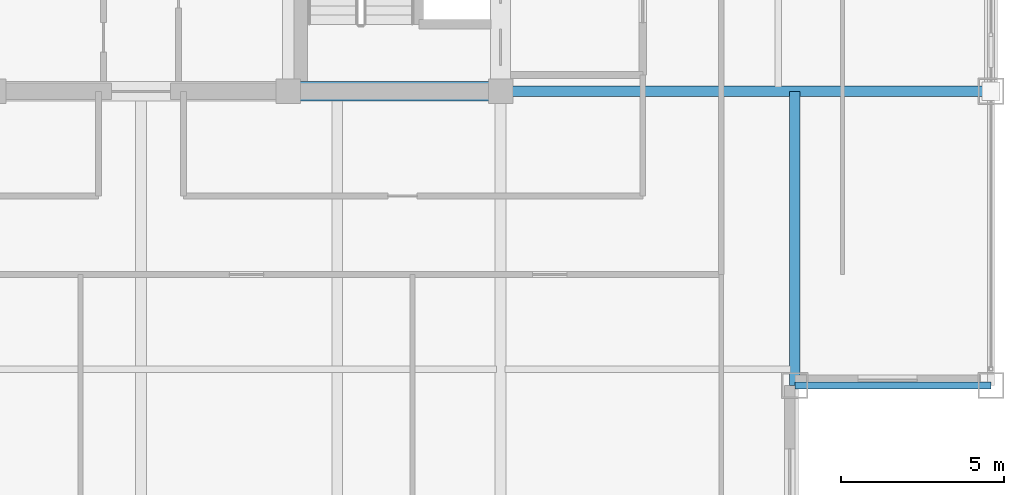
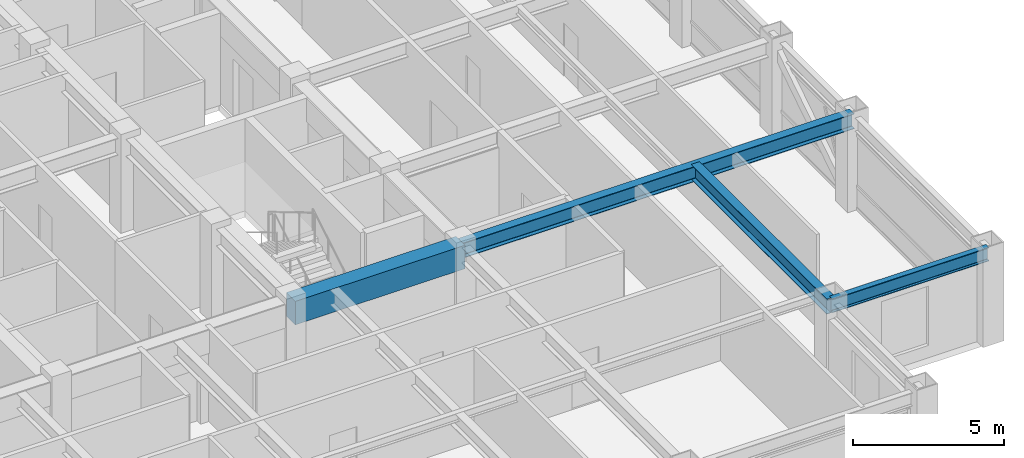
# One storey, part 9 of 28: 4 beams.
"""IFC4 building model written with IfcOpenShell, lengths in metres."""

from ifc_helpers import new_model, si_unit, direction, frame, origin, origin_2d, place, context, subcontext, project, spatial, rectangle, i_section, extrude, source, transform, mapped, material, material_profile, profile_set, type_object, element, save


model = new_model("IFC4")

# Units and contexts
model_context = context("Model", 3, precision=1e-05, world=origin(), true_north=direction((0.0, 1.0)))
body_context = subcontext(model_context, "Body", "Model", "MODEL_VIEW")
ifc_project = project(units=[si_unit("LENGTHUNIT", "METRE"), si_unit("AREAUNIT", "SQUARE_METRE"), si_unit("VOLUMEUNIT", "CUBIC_METRE"), si_unit("PLANEANGLEUNIT", "RADIAN"), si_unit("MASSUNIT", "GRAM", prefix="KILO")], contexts=[model_context])

# Site, building, storey
site_placement = place(None, origin())
site = spatial("IfcSite", under=ifc_project, at=site_placement, CompositionType="ELEMENT")
building_placement = place(site_placement, origin())
building = spatial("IfcBuilding", under=site, at=building_placement, Name="Khorayat Bourse Tower", CompositionType="ELEMENT")
storey_placement = place(building_placement, frame((0.0, 0.0, 330.300048828125)))
storey = spatial("IfcBuildingStorey", under=building, at=storey_placement, Name="L78", CompositionType="ELEMENT", Elevation=330.300048828125)

# Beams
ifc_material_1 = material(Name="Concrete C60/75", Category="concrete")
ifc_material_profile_1 = material_profile(ifc_material_1, rectangle(XDim=0.60009765625, YDim=0.949951171875, at=origin_2d()), Name="RC 600x950")
ifc_profile_set_1 = profile_set([ifc_material_profile_1], Name="Concrete C60/75")
beam_type_1 = type_object("IfcBeamType", Name="BM-COUP-950", PredefinedType="BEAM", material=ifc_profile_set_1)
shared_shape_1 = source(origin(), body_context, "Body", "SweptSolid", [
    extrude(rectangle(XDim=0.60009765625, YDim=0.949951171875, at=origin_2d()), origin(), (0.0, 0.0, 1.0), 6.5),
])
beam_1_placement = place(storey_placement, frame((4.5, -11.0, 3.264892578125), z_axis=(1.0, 0.0, 0.0), x_axis=(0.0, 1.0, 0.0)))
element("IfcBeam", 1, at=beam_1_placement, inside=storey, type_object=beam_type_1, Name="L78 BM-COUP-950 BM-L78-CRY-19", PredefinedType="BEAM", context=body_context, shape_type="MappedRepresentation", body=[
    mapped(shared_shape_1, transform((0.0, 0.0, 0.0), scale=1.0)),
])
ifc_material_2 = material(Name="Steel ASTM A992 Grade 50", Category="steel")
ifc_material_profile_2 = material_profile(ifc_material_2, i_section(OverallWidth=0.214111328125, OverallDepth=0.549072265625, WebThickness=0.0146484375, FlangeThickness=0.023681640625, FilletRadius=0.013916015625, at=origin_2d()), Name="W530X138")
ifc_profile_set_2 = profile_set([ifc_material_profile_2], Name="Steel ASTM A992 Grade 50")
beam_type_2 = type_object("IfcBeamType", Name="BM-SPAN-530", PredefinedType="SPANDREL", material=ifc_profile_set_2)
shared_shape_2 = source(origin(), body_context, "Body", "SweptSolid", [
    extrude(i_section(OverallWidth=0.214111328125, OverallDepth=0.549072265625, WebThickness=0.0146484375, FlangeThickness=0.023681640625, FilletRadius=0.013916015625, at=origin_2d()), origin(), (0.0, 0.0, 1.0), 6.0),
])
beam_2_placement = place(storey_placement, frame((20.0, -20.0, 3.46533203125), z_axis=(1.0, 0.0, 0.0), x_axis=(0.0, 1.0, 0.0)))
element("IfcBeam", 2, at=beam_2_placement, inside=storey, type_object=beam_type_2, Name="L78 BM-SPAN-530 BM-L78-SPN-031", PredefinedType="SPANDREL", context=body_context, shape_type="MappedRepresentation", body=[
    mapped(shared_shape_2, transform((0.0, 0.0, 0.0), scale=1.0)),
])
ifc_material_profile_3 = material_profile(ifc_material_2, i_section(OverallWidth=0.324951171875, OverallDepth=0.615966796875, WebThickness=0.013916015625, FlangeThickness=0.021484375, FilletRadius=0.01611328125, at=origin_2d()), Name="W610X174")
ifc_profile_set_3 = profile_set([ifc_material_profile_3], Name="Steel ASTM A992 Grade 50")
beam_type_3 = type_object("IfcBeamType", Name="BM-GIRD-610", PredefinedType="BEAM", material=ifc_profile_set_3)
shared_shape_3 = source(origin(), body_context, "Body", "SweptSolid", [
    extrude(i_section(OverallWidth=0.324951171875, OverallDepth=0.615966796875, WebThickness=0.013916015625, FlangeThickness=0.021484375, FilletRadius=0.01611328125, at=origin_2d()), origin(), (0.0, 0.0, 1.0), 15.0),
])
beam_3_placement = place(storey_placement, frame((11.0, -11.0, 3.431884765625), z_axis=(1.0, 0.0, 0.0), x_axis=(0.0, 1.0, 0.0)))
element("IfcBeam", 3, at=beam_3_placement, inside=storey, type_object=beam_type_3, Name="L78 BM-GIRD-610 BM-L78-RADX-066", PredefinedType="BEAM", context=body_context, shape_type="MappedRepresentation", body=[
    mapped(shared_shape_3, transform((0.0, 0.0, 0.0), scale=1.0)),
])
shared_shape_4 = source(origin(), body_context, "Body", "SweptSolid", [
    extrude(i_section(OverallWidth=0.324951171875, OverallDepth=0.615966796875, WebThickness=0.013916015625, FlangeThickness=0.021484375, FilletRadius=0.01611328125, at=origin_2d()), origin(), (0.0, 0.0, 1.0), 9.0),
])
beam_4_placement = place(storey_placement, frame((20.0, -20.0, 3.431884765625), z_axis=(0.0, 1.0, 0.0), x_axis=(-1.0, 0.0, 0.0)))
element("IfcBeam", 4, at=beam_4_placement, inside=storey, type_object=beam_type_3, Name="L78 BM-GIRD-610 BM-L78-CNRY-078", PredefinedType="BEAM", context=body_context, shape_type="MappedRepresentation", body=[
    mapped(shared_shape_4, transform((0.0, 0.0, 0.0), scale=1.0)),
])

save(model, "model.ifc")
